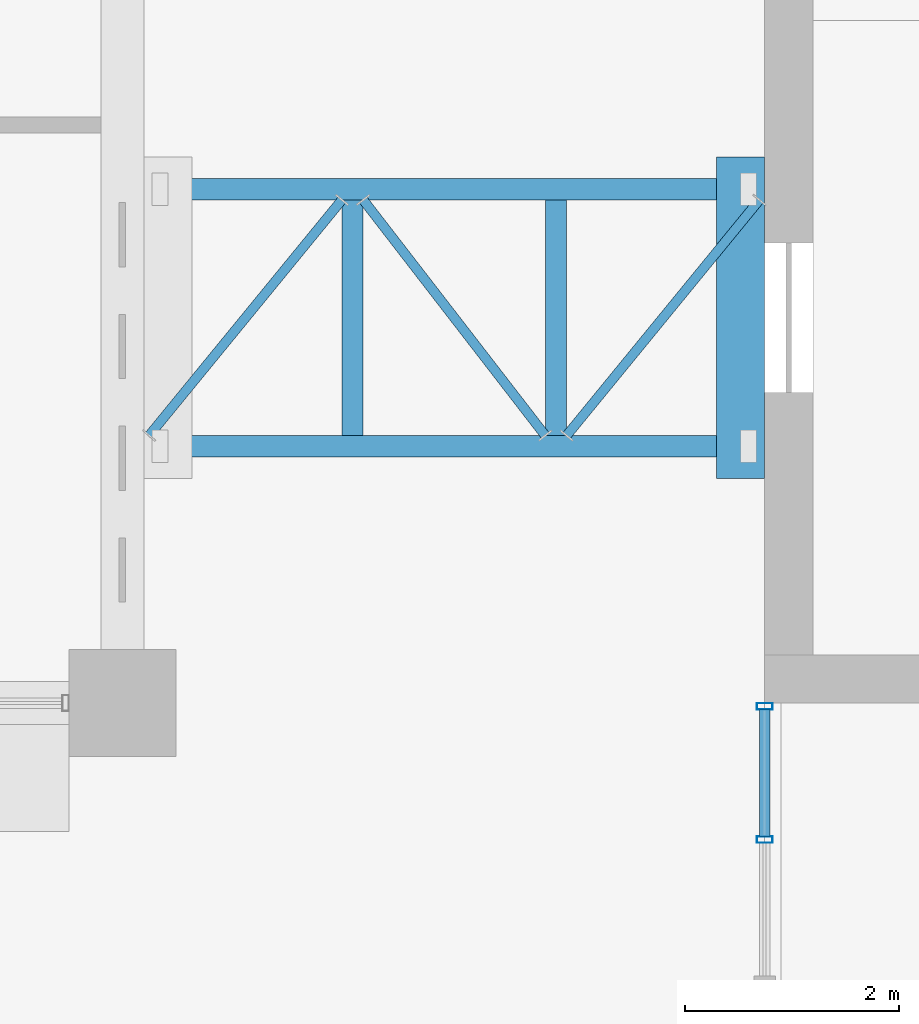
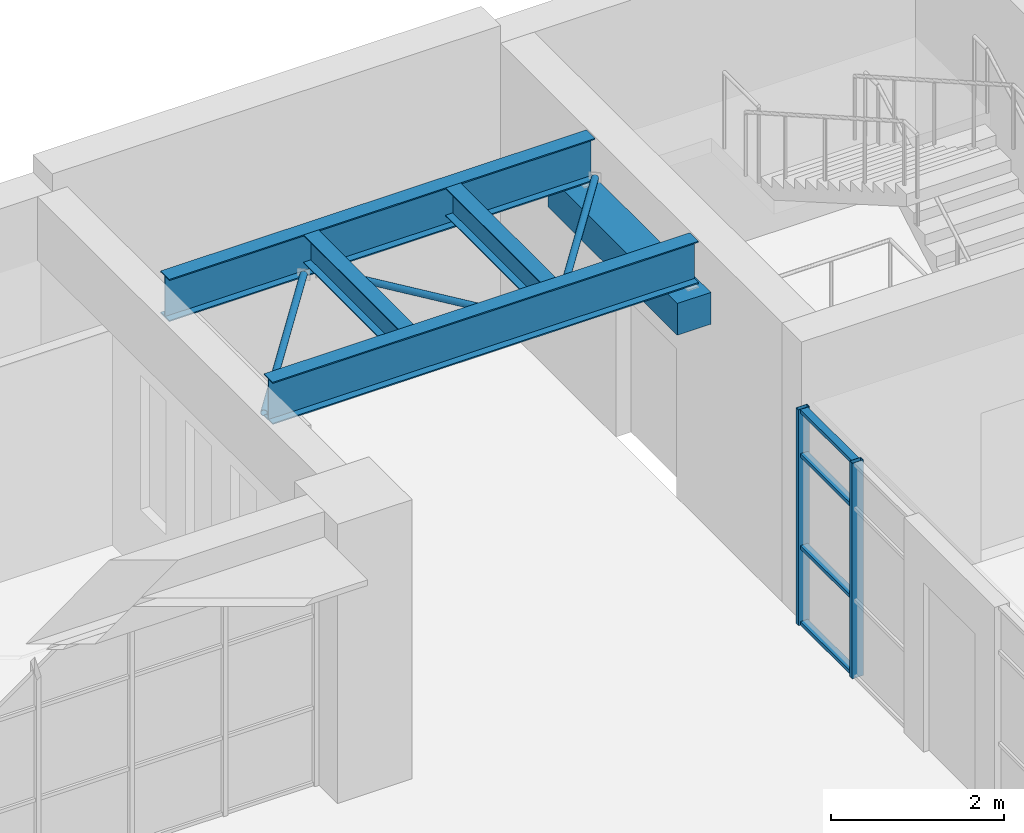
# One storey, part 34 of 103: 9 members, 5 beams, 1 element without a shape of its own.
"""IFC4 building model written with IfcOpenShell, lengths in metres."""

from ifc_helpers import new_model, si_unit, direction, frame, origin, origin_2d, place, context, subcontext, project, spatial, rectangle, hollow_rectangle, hollow_circle, i_section, extrude, material, material_profile, profile_set, type_object, element, aggregate, save


model = new_model("IFC4")

# Units and contexts
model_context = context("Model", 3, precision=1e-05, world=origin(), true_north=direction((0.0, 1.0)))
body_context = subcontext(model_context, "Body", "Model", "MODEL_VIEW")
ifc_project = project(units=[si_unit("LENGTHUNIT", "METRE"), si_unit("AREAUNIT", "SQUARE_METRE"), si_unit("VOLUMEUNIT", "CUBIC_METRE"), si_unit("PLANEANGLEUNIT", "RADIAN"), si_unit("MASSUNIT", "GRAM", prefix="KILO")], contexts=[model_context])

# Site, building, storey
site_placement = place(None, origin())
site = spatial("IfcSite", under=ifc_project, at=site_placement, CompositionType="ELEMENT")
building_placement = place(site_placement, origin())
building = spatial("IfcBuilding", under=site, at=building_placement, Name="Laocheng Heights Fire and Rescue Headquarters", CompositionType="ELEMENT")
storey_placement = place(building_placement, frame((0.0, 0.0, 4.199951171875)))
storey = spatial("IfcBuildingStorey", under=building, at=storey_placement, Name="L01", CompositionType="ELEMENT", Elevation=4.199951171875)

# Curtain wall, members
ifc_material_1 = material(Name="Dark anodised aluminium unitised curtain wall, low-e double glazing", Category="aluminium")
curtain_wall_type = type_object("IfcCurtainWallType", Name="CW 2550 x 3050 CREW COURT GLAZING", PredefinedType="NOTDEFINED", material=ifc_material_1)
curtain_wall_placement = place(storey_placement, origin())
curtain_wall = element("IfcCurtainWall", 1, at=curtain_wall_placement, inside=storey, type_object=curtain_wall_type, Name="X3-W CREW WEST L01", PredefinedType="NOTDEFINED")
ifc_material_2 = material(Name="Dark anodised aluminium 6063-T5 extrusion", Category="aluminium")
ifc_material_profile_1 = material_profile(ifc_material_2, hollow_rectangle(XDim=0.14990234375, YDim=0.06005859375, WallThickness=0.0029296875, at=origin_2d()), Name="AL MULLION 150x60x3 CREW COURT GLAZING")
ifc_profile_set_1 = profile_set([ifc_material_profile_1], Name="Dark anodised aluminium 6063-T5 extrusion")
member_type_1 = type_object("IfcMemberType", Name="AL MULLION 150x60x3 CREW COURT GLAZING", PredefinedType="MULLION", material=ifc_profile_set_1)
member_1_placement = place(storey_placement, frame((90.0, 49.125, 0.0), z_axis=(0.0, 0.0, 1.0), x_axis=(-1.0, 0.0, 0.0)))
member_1 = element("IfcMember", 2, at=member_1_placement, type_object=member_type_1, Name="X3-W mullion 2", PredefinedType="MULLION", context=body_context, shape_type="SweptSolid", body=[
    extrude(hollow_rectangle(XDim=0.14990234375, YDim=0.06005859375, WallThickness=0.0029296875, at=origin_2d()), origin(), (0.0, 0.0, 1.0), 3.050048828125),
])
member_2_placement = place(storey_placement, frame((90.0, 50.3701171875, 0.0), z_axis=(0.0, 0.0, 1.0), x_axis=(-1.0, 0.0, 0.0)))
member_2 = element("IfcMember", 3, at=member_2_placement, type_object=member_type_1, Name="X3-W mullion 3", PredefinedType="MULLION", context=body_context, shape_type="SweptSolid", body=[
    extrude(hollow_rectangle(XDim=0.14990234375, YDim=0.06005859375, WallThickness=0.0029296875, at=origin_2d()), origin(), (0.0, 0.0, 1.0), 3.050048828125),
])
ifc_material_3 = material(Name="Dark anodised aluminium 6063-T5 extrusion", Category="aluminium")
ifc_material_profile_2 = material_profile(ifc_material_3, hollow_rectangle(XDim=0.10009765625, YDim=0.050048828125, WallThickness=0.0029296875, at=origin_2d()), Name="AL TRANSOM 100x50x3 CREW COURT GLAZING")
ifc_profile_set_2 = profile_set([ifc_material_profile_2], Name="Dark anodised aluminium 6063-T5 extrusion")
member_type_2 = type_object("IfcMemberType", Name="AL TRANSOM 100x50x3 CREW COURT GLAZING", PredefinedType="USERDEFINED", material=ifc_profile_set_2)
member_3_placement = place(storey_placement, frame((90.0, 49.155029296875, 0.025146484375), z_axis=(0.0, 1.0, 0.0), x_axis=(-1.0, 0.0, 0.0)))
member_3 = element("IfcMember", 4, at=member_3_placement, type_object=member_type_2, Name="X3-W transom 2.1", ObjectType="TRANSOM", PredefinedType="USERDEFINED", context=body_context, shape_type="SweptSolid", body=[
    extrude(hollow_rectangle(XDim=0.10009765625, YDim=0.050048828125, WallThickness=0.0029296875, at=origin_2d()), origin(), (0.0, 0.0, 1.0), 1.18505859375),
])
member_4_placement = place(storey_placement, frame((90.0, 49.155029296875, 1.10009765625), z_axis=(0.0, 1.0, 0.0), x_axis=(-1.0, 0.0, 0.0)))
member_4 = element("IfcMember", 5, at=member_4_placement, type_object=member_type_2, Name="X3-W transom 2.2", ObjectType="TRANSOM", PredefinedType="USERDEFINED", context=body_context, shape_type="SweptSolid", body=[
    extrude(hollow_rectangle(XDim=0.10009765625, YDim=0.050048828125, WallThickness=0.0029296875, at=origin_2d()), origin(), (0.0, 0.0, 1.0), 1.18505859375),
])
member_5_placement = place(storey_placement, frame((90.0, 49.155029296875, 2.400146484375), z_axis=(0.0, 1.0, 0.0), x_axis=(-1.0, 0.0, 0.0)))
member_5 = element("IfcMember", 6, at=member_5_placement, type_object=member_type_2, Name="X3-W transom 2.3", ObjectType="TRANSOM", PredefinedType="USERDEFINED", context=body_context, shape_type="SweptSolid", body=[
    extrude(hollow_rectangle(XDim=0.10009765625, YDim=0.050048828125, WallThickness=0.0029296875, at=origin_2d()), origin(), (0.0, 0.0, 1.0), 1.18505859375),
])
member_6_placement = place(storey_placement, frame((90.0, 49.155029296875, 3.025146484375), z_axis=(0.0, 1.0, 0.0), x_axis=(-1.0, 0.0, 0.0)))
member_6 = element("IfcMember", 7, at=member_6_placement, type_object=member_type_2, Name="X3-W transom 2.4", ObjectType="TRANSOM", PredefinedType="USERDEFINED", context=body_context, shape_type="SweptSolid", body=[
    extrude(hollow_rectangle(XDim=0.10009765625, YDim=0.050048828125, WallThickness=0.0029296875, at=origin_2d()), origin(), (0.0, 0.0, 1.0), 1.18505859375),
])
aggregate(curtain_wall, [member_1, member_2, member_3, member_4, member_5, member_6])

# Beams
ifc_material_4 = material(Name="Concrete C40", Category="concrete")
ifc_material_profile_3 = material_profile(ifc_material_4, rectangle(XDim=0.449951171875, YDim=0.449951171875, at=origin_2d()), Name="RC CORBEL 450x450 BRIDGE SEAT")
ifc_profile_set_3 = profile_set([ifc_material_profile_3], Name="Concrete C40")
beam_type_1 = type_object("IfcBeamType", Name="RC CORBEL 450x450 BRIDGE SEAT", PredefinedType="BEAM", material=ifc_profile_set_3)
beam_placement = place(storey_placement, frame((89.77490234375, 52.5, 3.1552734375), z_axis=(0.0, 1.0, 0.0), x_axis=(-1.0, 0.0, 0.0)))
element("IfcBeam", 8, at=beam_placement, inside=storey, type_object=beam_type_1, Name="Bridge B3 corbel", PredefinedType="BEAM", context=body_context, shape_type="SweptSolid", body=[
    extrude(rectangle(XDim=0.449951171875, YDim=0.449951171875, at=origin_2d()), origin(), (0.0, 0.0, 1.0), 3.0),
])
ifc_material_5 = material(Name="Steel Q355B", Category="steel")
ifc_material_profile_4 = material_profile(ifc_material_5, i_section(OverallWidth=0.199951171875, OverallDepth=0.60009765625, WebThickness=0.010986328125, FlangeThickness=0.01708984375, at=origin_2d()), Name="HN 600x200x11x17")
ifc_profile_set_4 = profile_set([ifc_material_profile_4], Name="Steel Q355B")
beam_type_2 = type_object("IfcBeamType", Name="STEEL BRIDGE GIRDER HN 600x200x11x17", PredefinedType="BEAM", material=ifc_profile_set_4)
for number, where, z_axis, x_axis, name in (
    (9, (84.25, 52.800048828125, 3.699951171875), (1.0, 0.0, 0.0), (0.0, 1.0, 0.0), "Bridge B3 girder"),
    (10, (84.25, 55.199951171875, 3.699951171875), (1.0, 0.0, 0.0), (0.0, 1.0, 0.0), "Bridge B3 girder"),
):
    element("IfcBeam", number, at=place(storey_placement, frame(where, z_axis=z_axis, x_axis=x_axis)), inside=storey, type_object=beam_type_2, Name=name, PredefinedType="BEAM", context=body_context, shape_type="SweptSolid", body=[
        extrude(i_section(OverallWidth=0.199951171875, OverallDepth=0.60009765625, WebThickness=0.010986328125, FlangeThickness=0.01708984375, at=origin_2d()), origin(), (0.0, 0.0, 1.0), 5.699951171875),
    ])

# Members
ifc_material_6 = material(Name="Steel Q355B", Category="steel")
ifc_material_profile_5 = material_profile(ifc_material_6, hollow_circle(Radius=0.04443359375, WallThickness=0.0048828125, at=origin_2d()), Name="CHS 88.9x5")
ifc_profile_set_5 = profile_set([ifc_material_profile_5], Name="Steel Q355B")
member_type_3 = type_object("IfcMemberType", Name="STEEL BRIDGE PLAN BRACE CHS 88.9x5", PredefinedType="BRACE", material=ifc_profile_set_5)
member_7_placement = place(storey_placement, frame((84.25, 52.89990234375, 3.4443359375), z_axis=(0.633214406018, 0.773976431173, 0.0), x_axis=(-0.773976431173, 0.633214406018, 0.0)))
element("IfcMember", 11, at=member_7_placement, inside=storey, type_object=member_type_3, Name="Bridge B3 plan bracing", PredefinedType="BRACE", context=body_context, shape_type="SweptSolid", body=[
    extrude(hollow_circle(Radius=0.04443359375, WallThickness=0.0048828125, at=origin_2d()), origin(), (0.0, 0.0, 1.0), 2.8427734375),
])
member_8_placement = place(storey_placement, frame((86.25, 55.10009765625, 3.4443359375), z_axis=(0.611402517284, -0.791319759553, 0.0), x_axis=(0.791319759553, 0.611402517284, 0.0)))
element("IfcMember", 12, at=member_8_placement, inside=storey, type_object=member_type_3, Name="Bridge B3 plan bracing", PredefinedType="BRACE", context=body_context, shape_type="SweptSolid", body=[
    extrude(hollow_circle(Radius=0.04443359375, WallThickness=0.0048828125, at=origin_2d()), origin(), (0.0, 0.0, 1.0), 2.780517578125),
])
member_9_placement = place(storey_placement, frame((88.14990234375, 52.89990234375, 3.4443359375), z_axis=(0.633214406018, 0.773976431173, 0.0), x_axis=(-0.773976431173, 0.633214406018, 0.0)))
element("IfcMember", 13, at=member_9_placement, inside=storey, type_object=member_type_3, Name="Bridge B3 plan bracing", PredefinedType="BRACE", context=body_context, shape_type="SweptSolid", body=[
    extrude(hollow_circle(Radius=0.04443359375, WallThickness=0.0048828125, at=origin_2d()), origin(), (0.0, 0.0, 1.0), 2.8427734375),
])

# Beams
ifc_material_7 = material(Name="Steel Q355B", Category="steel")
ifc_material_profile_6 = material_profile(ifc_material_7, i_section(OverallWidth=0.199951171875, OverallDepth=0.39990234375, WebThickness=0.008056640625, FlangeThickness=0.012939453125, at=origin_2d()), Name="HN 400x200x8x13")
ifc_profile_set_6 = profile_set([ifc_material_profile_6], Name="Steel Q355B")
beam_type_3 = type_object("IfcBeamType", Name="STEEL BRIDGE TYING BEAM HN 400x200x8x13", PredefinedType="BEAM", material=ifc_profile_set_6)
for number, where, z_axis, x_axis, name in (
    (14, (86.14990234375, 52.89990234375, 3.800048828125), (0.0, 1.0, 0.0), (-1.0, 0.0, 0.0), "Bridge B3 cross beam"),
    (15, (88.050048828125, 52.89990234375, 3.800048828125), (0.0, 1.0, 0.0), (-1.0, 0.0, 0.0), "Bridge B3 cross beam"),
):
    element("IfcBeam", number, at=place(storey_placement, frame(where, z_axis=z_axis, x_axis=x_axis)), inside=storey, type_object=beam_type_3, Name=name, PredefinedType="BEAM", context=body_context, shape_type="SweptSolid", body=[
        extrude(i_section(OverallWidth=0.199951171875, OverallDepth=0.39990234375, WebThickness=0.008056640625, FlangeThickness=0.012939453125, at=origin_2d()), origin(), (0.0, 0.0, 1.0), 2.2001953125),
    ])

save(model, "model.ifc")
